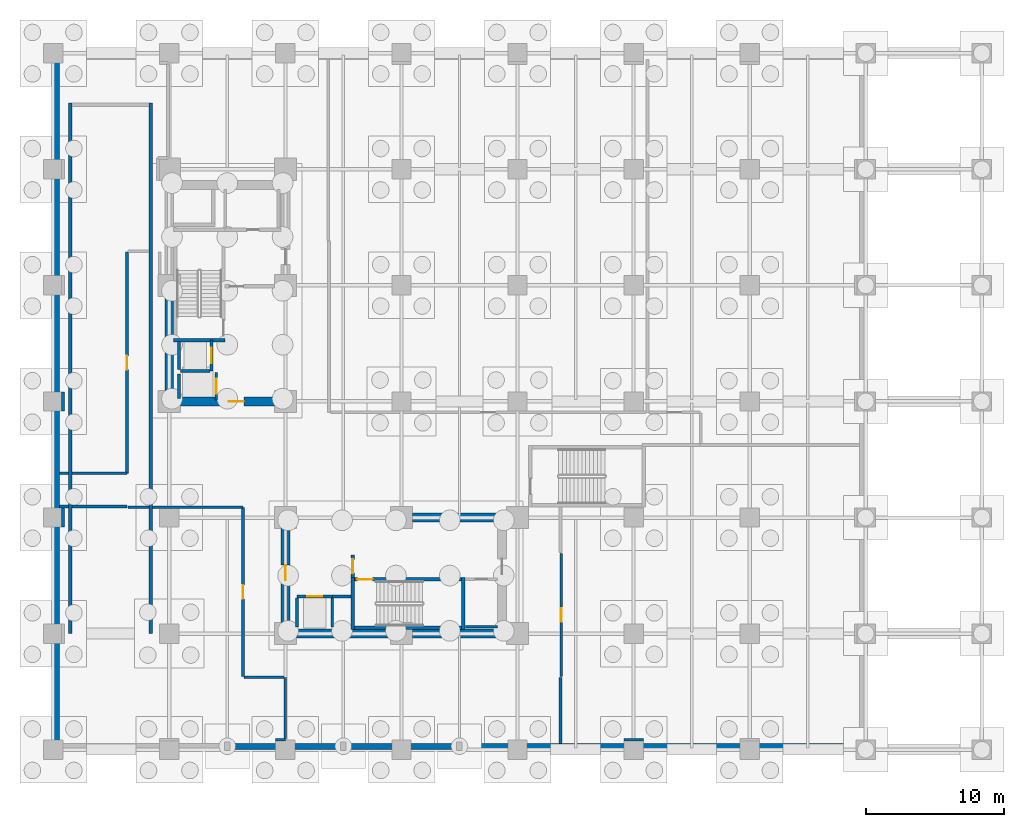
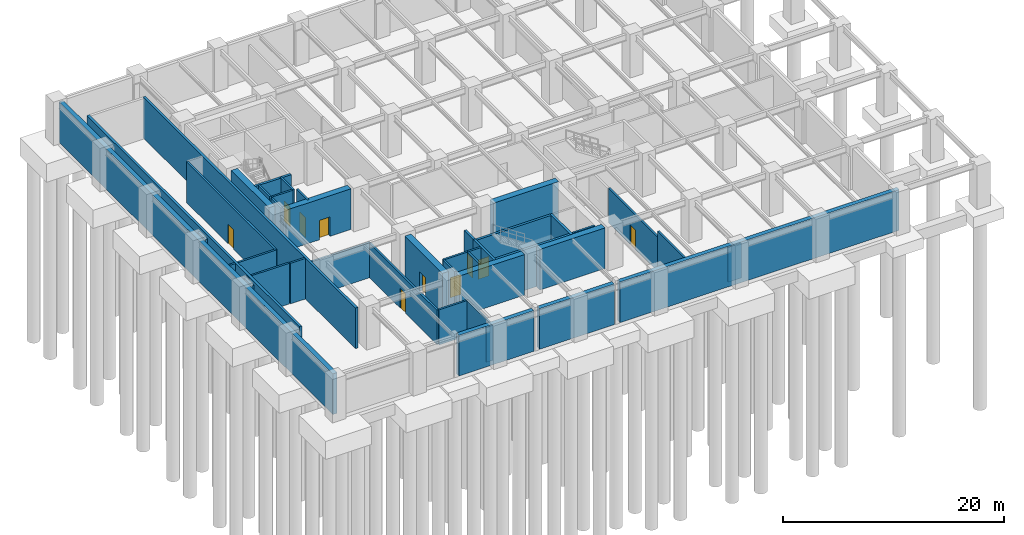
# One storey, part 5 of 9: 44 walls, 10 doors, 10 openings.
"""IFC4 building model written with IfcOpenShell, lengths in metres."""

from ifc_helpers import new_model, si_unit, direction, frame, frame_2d, origin, place, context, subcontext, project, spatial, rectangle, extrude, material, layer, layer_set, type_object, element, fill, save


model = new_model("IFC4")

# Units and contexts
model_context = context("Model", 3, precision=1e-05, world=origin(), true_north=direction((0.0, 1.0)))
body_context = subcontext(model_context, "Body", "Model", "MODEL_VIEW")
ifc_project = project(units=[si_unit("LENGTHUNIT", "METRE"), si_unit("AREAUNIT", "SQUARE_METRE"), si_unit("VOLUMEUNIT", "CUBIC_METRE"), si_unit("PLANEANGLEUNIT", "RADIAN"), si_unit("MASSUNIT", "GRAM", prefix="KILO")], contexts=[model_context])

# Site, building, storey
site_placement = place(None, origin())
site = spatial("IfcSite", under=ifc_project, at=site_placement, CompositionType="ELEMENT")
building_placement = place(site_placement, origin())
building = spatial("IfcBuilding", under=site, at=building_placement, Name="Nerrivon Quay Data Exchange", CompositionType="ELEMENT")
storey_placement = place(building_placement, frame((0.0, 0.0, -9.60009765625)))
storey = spatial("IfcBuildingStorey", under=building, at=storey_placement, Name="B02", CompositionType="ELEMENT", Elevation=-9.60009765625)

# Wall
ifc_material_1 = material(Name="Concrete N80 (80 MPa)", Category="concrete")
ifc_layer_1 = layer(ifc_material_1, 0.64990234375)
ifc_layer_set_1 = layer_set([ifc_layer_1], Name="Concrete N80 (80 MPa)")
wall_type_1 = type_object("IfcWallType", Name="WALL-CW-850", PredefinedType="SHEAR", material=ifc_layer_set_1)
wall_1_placement = place(storey_placement, frame((8.39990234375, 26.0, 0.0), z_axis=(0.0, 0.0, 1.0), x_axis=(0.0, 1.0, 0.0)))
element("IfcWall", 1, at=wall_1_placement, inside=storey, type_object=wall_type_1, Name="B02 West Split-Core Shear Wall WCW-W1", PredefinedType="SHEAR", context=body_context, shape_type="SweptSolid", body=[
    extrude(rectangle(XDim=6.800048828125, YDim=0.64990234375, at=frame_2d((3.39990234375, 0.0))), origin(), (0.0, 0.0, 1.0), 4.47998046875),
])

# Wall, opening, door
wall_2_placement = place(storey_placement, frame((9.199951171875, 25.199951171875, 0.0), z_axis=(0.0, 0.0, 1.0), x_axis=(1.0, 0.0, 0.0)))
wall_2 = element("IfcWall", 2, at=wall_2_placement, inside=storey, type_object=wall_type_1, Name="B02 West Split-Core Shear Wall WCW-S1", PredefinedType="SHEAR", context=body_context, shape_type="SweptSolid", body=[
    extrude(rectangle(XDim=6.800048828125, YDim=0.64990234375, at=frame_2d((3.39990234375, 0.0))), origin(), (0.0, 0.0, 1.0), 4.47998046875),
])
opening_1_placement = place(wall_2_placement, frame((3.5, 0.0, 0.0)))
opening_1 = element("IfcOpeningElement", 3, at=opening_1_placement, cuts=wall_2, Name="Opening FD-120", PredefinedType="OPENING", context=body_context, shape_type="SweptSolid", body=[
    extrude(rectangle(XDim=1.10009765625, YDim=2.14990234375, at=frame_2d((0.550048828125, 1.074951171875))), frame((0.0, 0.3349609375, 0.0), z_axis=(0.0, -1.0, 0.0), x_axis=(1.0, 0.0, 0.0)), (0.0, 0.0, 1.0), 0.669921875),
])
ifc_material_2 = material(Name="Powder-coated galvanized steel sheet", Category="steel")
door_type_1 = type_object("IfcDoorType", Name="DR-FD120-1100", OperationType="NOTDEFINED", PredefinedType="DOOR", material=ifc_material_2)
door_1_placement = place(opening_1_placement, origin())
door_1 = element("IfcDoor", 4, at=door_1_placement, inside=storey, type_object=door_type_1, Name="B02 West Core Lobby Fire Door", OperationType="SINGLE_SWING_RIGHT", OverallHeight=2.14990234375, OverallWidth=1.10009765625, PredefinedType="DOOR", context=body_context, shape_type="SweptSolid", body=[
    extrude(rectangle(XDim=1.10009765625, YDim=2.14990234375, at=frame_2d((0.550048828125, 1.074951171875))), frame((0.0, 0.02490234375, 0.0), z_axis=(0.0, -1.0, 0.0), x_axis=(1.0, 0.0, 0.0)), (0.0, 0.0, 1.0), 0.050048828125),
])
fill(opening_1, door_1)

# Walls
wall_3_placement = place(storey_placement, frame((17.60009765625, 8.39990234375, 0.0), z_axis=(0.0, 0.0, 1.0), x_axis=(1.0, 0.0, 0.0)))
element("IfcWall", 5, at=wall_3_placement, inside=storey, type_object=wall_type_1, Name="B02 East Split-Core Shear Wall ECW-S1", PredefinedType="SHEAR", context=body_context, shape_type="SweptSolid", body=[
    extrude(rectangle(XDim=6.7998046875, YDim=0.64990234375, at=frame_2d((3.39990234375, 0.0))), origin(), (0.0, 0.0, 1.0), 4.47998046875),
])
wall_4_placement = place(storey_placement, frame((26.0, 8.39990234375, 0.0), z_axis=(0.0, 0.0, 1.0), x_axis=(1.0, 0.0, 0.0)))
element("IfcWall", 6, at=wall_4_placement, inside=storey, type_object=wall_type_1, Name="B02 East Split-Core Shear Wall ECW-S2", PredefinedType="SHEAR", context=body_context, shape_type="SweptSolid", body=[
    extrude(rectangle(XDim=6.800048828125, YDim=0.64990234375, at=frame_2d((3.39990234375, 0.0))), origin(), (0.0, 0.0, 1.0), 4.47998046875),
])

# Wall, opening, door
wall_5_placement = place(storey_placement, frame((16.800048828125, 9.199951171875, 0.0), z_axis=(0.0, 0.0, 1.0), x_axis=(0.0, 1.0, 0.0)))
wall_5 = element("IfcWall", 7, at=wall_5_placement, inside=storey, type_object=wall_type_1, Name="B02 East Split-Core Shear Wall ECW-W1", PredefinedType="SHEAR", context=body_context, shape_type="SweptSolid", body=[
    extrude(rectangle(XDim=6.800048828125, YDim=0.64990234375, at=frame_2d((3.39990234375, 0.0))), origin(), (0.0, 0.0, 1.0), 4.47998046875),
])
opening_2_placement = place(wall_5_placement, frame((3.050048828125, 0.0, 0.0)))
opening_2 = element("IfcOpeningElement", 8, at=opening_2_placement, cuts=wall_5, Name="Opening FD-120", PredefinedType="OPENING", context=body_context, shape_type="SweptSolid", body=[
    extrude(rectangle(XDim=1.10009765625, YDim=2.14990234375, at=frame_2d((0.550048828125, 1.074951171875))), frame((0.0, 0.3349609375, 0.0), z_axis=(0.0, -1.0, 0.0), x_axis=(1.0, 0.0, 0.0)), (0.0, 0.0, 1.0), 0.669921875),
])
door_2_placement = place(opening_2_placement, origin())
door_2 = element("IfcDoor", 9, at=door_2_placement, inside=storey, type_object=door_type_1, Name="B02 East Core Lobby Fire Door", OperationType="SINGLE_SWING_RIGHT", OverallHeight=2.14990234375, OverallWidth=1.10009765625, PredefinedType="DOOR", context=body_context, shape_type="SweptSolid", body=[
    extrude(rectangle(XDim=1.10009765625, YDim=2.14990234375, at=frame_2d((0.550048828125, 1.074951171875))), frame((0.0, 0.02490234375, 0.0), z_axis=(0.0, -1.0, 0.0), x_axis=(1.0, 0.0, 0.0)), (0.0, 0.0, 1.0), 0.050048828125),
])
fill(opening_2, door_2)

# Walls
wall_6_placement = place(storey_placement, frame((26.0, 16.800048828125, 0.0), z_axis=(0.0, 0.0, 1.0), x_axis=(1.0, 0.0, 0.0)))
element("IfcWall", 10, at=wall_6_placement, inside=storey, type_object=wall_type_1, Name="B02 East Split-Core Shear Wall ECW-N1", PredefinedType="SHEAR", context=body_context, shape_type="SweptSolid", body=[
    extrude(rectangle(XDim=6.800048828125, YDim=0.64990234375, at=frame_2d((3.39990234375, 0.0))), origin(), (0.0, 0.0, 1.0), 4.47998046875),
])
ifc_material_3 = material(Name="Gypsum plasterboard on cold-formed framing", Category="gypsum")
ifc_layer_2 = layer(ifc_material_3, 0.199951171875)
ifc_layer_set_2 = layer_set([ifc_layer_2], Name="Gypsum plasterboard on cold-formed framing")
wall_type_2 = type_object("IfcWallType", Name="WALL-FW-200", PredefinedType="PARTITIONING", material=ifc_layer_set_2)
wall_7_placement = place(storey_placement, frame((20.199951171875, 11.080078125, 0.0), z_axis=(0.0, 0.0, 1.0), x_axis=(1.0, 0.0, 0.0)))
element("IfcWall", 11, at=wall_7_placement, inside=storey, type_object=wall_type_2, Name="B02 East Core MEP Riser Shaft Wall N", PredefinedType="PARTITIONING", context=body_context, shape_type="SweptSolid", body=[
    extrude(rectangle(XDim=1.35009765625, YDim=0.199951171875, at=frame_2d((0.675048828125, 0.0))), origin(), (0.0, 0.0, 1.0), 4.47998046875),
])

# Wall, opening, door
wall_8_placement = place(storey_placement, frame((11.449951171875, 27.39990234375, 0.0), z_axis=(0.0, 0.0, 1.0), x_axis=(0.0, 1.0, 0.0)))
wall_8 = element("IfcWall", 12, at=wall_8_placement, inside=storey, type_object=wall_type_2, Name="B02 Lift Front Wall FFL-1", PredefinedType="PARTITIONING", context=body_context, shape_type="SweptSolid", body=[
    extrude(rectangle(XDim=2.25, YDim=0.199951171875, at=frame_2d((1.125, 0.0))), origin(), (0.0, 0.0, 1.0), 4.47998046875),
])
opening_3_placement = place(wall_8_placement, frame((0.574951171875, 0.0, 0.0)))
opening_3 = element("IfcOpeningElement", 13, at=opening_3_placement, cuts=wall_8, Name="Opening LD-120", PredefinedType="OPENING", context=body_context, shape_type="SweptSolid", body=[
    extrude(rectangle(XDim=1.10009765625, YDim=2.199951171875, at=frame_2d((0.550048828125, 1.10009765625))), frame((0.0, 0.10986328125, 0.0), z_axis=(0.0, -1.0, 0.0), x_axis=(1.0, 0.0, 0.0)), (0.0, 0.0, 1.0), 0.219970703125),
])
door_type_2 = type_object("IfcDoorType", Name="DR-LIFT-LD120", OperationType="DOUBLE_DOOR_SLIDING", PredefinedType="DOOR", material=ifc_material_2)
door_3_placement = place(opening_3_placement, origin())
door_3 = element("IfcDoor", 14, at=door_3_placement, inside=storey, type_object=door_type_2, Name="B02 Lift Landing Sliding Door FFL-1", OperationType="DOUBLE_DOOR_SLIDING", OverallHeight=2.199951171875, OverallWidth=1.10009765625, PredefinedType="DOOR", context=body_context, shape_type="SweptSolid", body=[
    extrude(rectangle(XDim=1.10009765625, YDim=2.199951171875, at=frame_2d((0.550048828125, 1.10009765625))), frame((0.0, 0.02490234375, 0.0), z_axis=(0.0, -1.0, 0.0), x_axis=(1.0, 0.0, 0.0)), (0.0, 0.0, 1.0), 0.050048828125),
])
fill(opening_3, door_3)

# Walls
wall_9_placement = place(storey_placement, frame((9.10009765625, 27.5, 0.0), z_axis=(0.0, 0.0, 1.0), x_axis=(0.0, 1.0, 0.0)))
element("IfcWall", 15, at=wall_9_placement, inside=storey, type_object=wall_type_2, Name="B02 Lift Shaft Wall FFL-1 WEST", PredefinedType="PARTITIONING", context=body_context, shape_type="SweptSolid", body=[
    extrude(rectangle(XDim=2.050048828125, YDim=0.199951171875, at=frame_2d((1.02490234375, 0.0))), origin(), (0.0, 0.0, 1.0), 4.47998046875),
])
wall_10_placement = place(storey_placement, frame((9.199951171875, 27.39990234375, 0.0), z_axis=(0.0, 0.0, 1.0), x_axis=(1.0, 0.0, 0.0)))
element("IfcWall", 16, at=wall_10_placement, inside=storey, type_object=wall_type_2, Name="B02 Lift Shaft Wall FFL-1 SOUTH", PredefinedType="PARTITIONING", context=body_context, shape_type="SweptSolid", body=[
    extrude(rectangle(XDim=2.150146484375, YDim=0.199951171875, at=frame_2d((1.0751953125, 0.0))), origin(), (0.0, 0.0, 1.0), 4.47998046875),
])

# Wall, opening, door
wall_11_placement = place(storey_placement, frame((11.800048828125, 25.300048828125, 0.0), z_axis=(0.0, 0.0, 1.0), x_axis=(0.0, 1.0, 0.0)))
wall_11 = element("IfcWall", 17, at=wall_11_placement, inside=storey, type_object=wall_type_2, Name="B02 Lift Front Wall SVL-1", PredefinedType="PARTITIONING", context=body_context, shape_type="SweptSolid", body=[
    extrude(rectangle(XDim=2.0, YDim=0.199951171875, at=frame_2d((1.0, 0.0))), origin(), (0.0, 0.0, 1.0), 4.47998046875),
])
opening_4_placement = place(wall_11_placement, frame((0.449951171875, 0.0, 0.0)))
opening_4 = element("IfcOpeningElement", 18, at=opening_4_placement, cuts=wall_11, Name="Opening LD-120", PredefinedType="OPENING", context=body_context, shape_type="SweptSolid", body=[
    extrude(rectangle(XDim=1.10009765625, YDim=2.199951171875, at=frame_2d((0.550048828125, 1.10009765625))), frame((0.0, 0.10986328125, 0.0), z_axis=(0.0, -1.0, 0.0), x_axis=(1.0, 0.0, 0.0)), (0.0, 0.0, 1.0), 0.219970703125),
])
door_4_placement = place(opening_4_placement, origin())
door_4 = element("IfcDoor", 19, at=door_4_placement, inside=storey, type_object=door_type_2, Name="B02 Lift Landing Sliding Door SVL-1", OperationType="DOUBLE_DOOR_SLIDING", OverallHeight=2.199951171875, OverallWidth=1.10009765625, PredefinedType="DOOR", context=body_context, shape_type="SweptSolid", body=[
    extrude(rectangle(XDim=1.10009765625, YDim=2.199951171875, at=frame_2d((0.550048828125, 1.10009765625))), frame((0.0, 0.02490234375, 0.0), z_axis=(0.0, -1.0, 0.0), x_axis=(1.0, 0.0, 0.0)), (0.0, 0.0, 1.0), 0.050048828125),
])
fill(opening_4, door_4)

# Wall
wall_12_placement = place(storey_placement, frame((9.10009765625, 25.39990234375, 0.0), z_axis=(0.0, 0.0, 1.0), x_axis=(0.0, 1.0, 0.0)))
element("IfcWall", 20, at=wall_12_placement, inside=storey, type_object=wall_type_2, Name="B02 Lift Shaft Wall SVL-1 WEST", PredefinedType="PARTITIONING", context=body_context, shape_type="SweptSolid", body=[
    extrude(rectangle(XDim=1.800048828125, YDim=0.199951171875, at=frame_2d((0.89990234375, 0.0))), origin(), (0.0, 0.0, 1.0), 4.47998046875),
])

# Wall, opening, door
wall_13_placement = place(storey_placement, frame((17.64990234375, 11.080078125, 0.0), z_axis=(0.0, 0.0, 1.0), x_axis=(1.0, 0.0, 0.0)))
wall_13 = element("IfcWall", 21, at=wall_13_placement, inside=storey, type_object=wall_type_2, Name="B02 Lift Front Wall FFL-2", PredefinedType="PARTITIONING", context=body_context, shape_type="SweptSolid", body=[
    extrude(rectangle(XDim=2.550048828125, YDim=0.199951171875, at=frame_2d((1.27490234375, 0.0))), origin(), (0.0, 0.0, 1.0), 4.47998046875),
])
opening_5_placement = place(wall_13_placement, frame((0.72509765625, 0.0, 0.0)))
opening_5 = element("IfcOpeningElement", 22, at=opening_5_placement, cuts=wall_13, Name="Opening LD-120", PredefinedType="OPENING", context=body_context, shape_type="SweptSolid", body=[
    extrude(rectangle(XDim=1.10009765625, YDim=2.199951171875, at=frame_2d((0.550048828125, 1.10009765625))), frame((0.0, 0.10986328125, 0.0), z_axis=(0.0, -1.0, 0.0), x_axis=(1.0, 0.0, 0.0)), (0.0, 0.0, 1.0), 0.219970703125),
])
door_5_placement = place(opening_5_placement, origin())
door_5 = element("IfcDoor", 23, at=door_5_placement, inside=storey, type_object=door_type_2, Name="B02 Lift Landing Sliding Door FFL-2", OperationType="DOUBLE_DOOR_SLIDING", OverallHeight=2.199951171875, OverallWidth=1.10009765625, PredefinedType="DOOR", context=body_context, shape_type="SweptSolid", body=[
    extrude(rectangle(XDim=1.10009765625, YDim=2.199951171875, at=frame_2d((0.550048828125, 1.10009765625))), frame((0.0, 0.02490234375, 0.0), z_axis=(0.0, -1.0, 0.0), x_axis=(1.0, 0.0, 0.0)), (0.0, 0.0, 1.0), 0.050048828125),
])
fill(opening_5, door_5)

# Walls
for number, where, z_axis, x_axis, name in (
    (24, (20.199951171875, 8.8798828125, 0.0), (0.0, 0.0, 1.0), (0.0, 1.0, 0.0), "B02 Lift Shaft Wall FFL-2 EAST"),
    (25, (17.64990234375, 8.8798828125, 0.0), (0.0, 0.0, 1.0), (0.0, 1.0, 0.0), "B02 Lift Shaft Wall FFL-2 WEST"),
):
    element("IfcWall", number, at=place(storey_placement, frame(where, z_axis=z_axis, x_axis=x_axis)), inside=storey, type_object=wall_type_2, Name=name, PredefinedType="PARTITIONING", context=body_context, shape_type="SweptSolid", body=[
        extrude(rectangle(XDim=2.10009765625, YDim=0.199951171875, at=frame_2d((1.050048828125, 0.0))), origin(), (0.0, 0.0, 1.0), 4.47998046875),
    ])
wall_14_placement = place(storey_placement, frame((29.85009765625, 8.89990234375, 0.0), z_axis=(0.0, 0.0, 1.0), x_axis=(1.0, 0.0, 0.0)))
element("IfcWall", 26, at=wall_14_placement, inside=storey, type_object=wall_type_2, Name="B02 Partition East Telecom Closet", PredefinedType="PARTITIONING", context=body_context, shape_type="SweptSolid", body=[
    extrude(rectangle(XDim=2.2958984375, YDim=0.199951171875, at=frame_2d((1.14794921875, 0.0))), origin(), (0.0, 0.0, 1.0), 4.47998046875),
])
wall_15_placement = place(storey_placement, frame((0.719970703125, 17.501953125, 0.0), z_axis=(0.0, 0.0, 1.0), x_axis=(0.0, -1.0, 0.0)))
element("IfcWall", 27, at=wall_15_placement, inside=storey, type_object=wall_type_2, Name="B02 Partition Standby Generator Hall", PredefinedType="PARTITIONING", context=body_context, shape_type="SweptSolid", body=[
    extrude(rectangle(XDim=1.40185546875, YDim=0.199951171875, at=frame_2d((0.700927734375, 0.0))), origin(), (0.0, 0.0, 1.0), 4.47998046875),
])
wall_16_placement = place(storey_placement, frame((16.10009765625, 0.719970703125, 0.0), z_axis=(0.0, 0.0, 1.0), x_axis=(1.0, 0.0, 0.0)))
element("IfcWall", 28, at=wall_16_placement, inside=storey, type_object=wall_type_2, Name="B02 Partition Standby Generator Hall", PredefinedType="PARTITIONING", context=body_context, shape_type="SweptSolid", body=[
    extrude(rectangle(XDim=0.699951171875, YDim=0.199951171875, at=frame_2d((0.35009765625, 0.0))), origin(), (0.0, 0.0, 1.0), 3.8681640625),
])
wall_17_placement = place(storey_placement, frame((16.800048828125, 0.823974609375, 0.0), z_axis=(0.0, 0.0, 1.0), x_axis=(0.0, 1.0, 0.0)))
element("IfcWall", 29, at=wall_17_placement, inside=storey, type_object=wall_type_2, Name="B02 Partition Standby Generator Hall", PredefinedType="PARTITIONING", context=body_context, shape_type="SweptSolid", body=[
    extrude(rectangle(XDim=4.416015625, YDim=0.199951171875, at=frame_2d((2.2080078125, 0.0))), origin(), (0.0, 0.0, 1.0), 3.8681640625),
])
wall_18_placement = place(storey_placement, frame((16.696044921875, 5.239990234375, 0.0), z_axis=(0.0, 0.0, 1.0), x_axis=(-1.0, 0.0, 0.0)))
element("IfcWall", 30, at=wall_18_placement, inside=storey, type_object=wall_type_2, Name="B02 Partition Standby Generator Hall", PredefinedType="PARTITIONING", context=body_context, shape_type="SweptSolid", body=[
    extrude(rectangle(XDim=2.89599609375, YDim=0.199951171875, at=frame_2d((1.447998046875, 0.0))), origin(), (0.0, 0.0, 1.0), 3.8681640625),
])

# Wall, opening, door
wall_19_placement = place(storey_placement, frame((13.740234375, 5.294189453125, 0.0), z_axis=(0.0, 0.0, 1.0), x_axis=(-1.9936602e-05, 0.999999999801, 0.0)))
wall_19 = element("IfcWall", 31, at=wall_19_placement, inside=storey, type_object=wall_type_2, Name="B02 Partition Standby Generator Hall", PredefinedType="PARTITIONING", context=body_context, shape_type="SweptSolid", body=[
    extrude(rectangle(XDim=12.245849609375, YDim=0.199951171875, at=frame_2d((6.123046875, 0.0))), origin(), (0.0, 0.0, 1.0), 3.780029296875),
])
opening_6_placement = place(wall_19_placement, frame((5.623046875, 0.0, 0.0)))
opening_6 = element("IfcOpeningElement", 32, at=opening_6_placement, cuts=wall_19, Name="Opening FD-60", PredefinedType="OPENING", context=body_context, shape_type="SweptSolid", body=[
    extrude(rectangle(XDim=1.0, YDim=2.14990234375, at=frame_2d((0.5, 1.074951171875))), frame((0.0, 0.10986328125, 0.0), z_axis=(0.0, -1.0, 0.0), x_axis=(1.0, 0.0, 0.0)), (0.0, 0.0, 1.0), 0.219970703125),
])
ifc_material_4 = material(Name="Engineered hardwood timber", Category="wood")
door_type_3 = type_object("IfcDoorType", Name="DR-FD60-1000", OperationType="NOTDEFINED", PredefinedType="DOOR", material=ifc_material_4)
door_6_placement = place(opening_6_placement, origin())
door_6 = element("IfcDoor", 33, at=door_6_placement, inside=storey, type_object=door_type_3, Name="B02 Door Standby Generator Hall", OperationType="SINGLE_SWING_RIGHT", OverallHeight=2.14990234375, OverallWidth=1.0, PredefinedType="DOOR", context=body_context, shape_type="SweptSolid", body=[
    extrude(rectangle(XDim=1.0, YDim=2.14990234375, at=frame_2d((0.5, 1.074951171875))), frame((0.0, 0.02490234375, 0.0), z_axis=(0.0, -1.0, 0.0), x_axis=(1.0, 0.0, 0.0)), (0.0, 0.0, 1.0), 0.050048828125),
])
fill(opening_6, door_6)

# Walls
wall_20_placement = place(storey_placement, frame((13.739990234375, 17.5400390625, 0.0), z_axis=(0.0, 0.0, 1.0), x_axis=(-1.0, 0.0, 0.0)))
element("IfcWall", 34, at=wall_20_placement, inside=storey, type_object=wall_type_2, Name="B02 Partition Standby Generator Hall", PredefinedType="PARTITIONING", context=body_context, shape_type="SweptSolid", body=[
    extrude(rectangle(XDim=6.535888671875, YDim=0.199951171875, at=frame_2d((3.26806640625, 0.0))), origin(), (0.0, 0.0, 1.0), 3.8681640625),
])
wall_21_placement = place(storey_placement, frame((6.946044921875, 17.5400390625, 0.0), z_axis=(0.0, 0.0, 1.0), x_axis=(-1.0, 0.0, 0.0)))
element("IfcWall", 35, at=wall_21_placement, inside=storey, type_object=wall_type_2, Name="B02 Partition Standby Generator Hall", PredefinedType="PARTITIONING", context=body_context, shape_type="SweptSolid", body=[
    extrude(rectangle(XDim=1.546142578125, YDim=0.199951171875, at=frame_2d((0.77294921875, 0.0))), origin(), (0.0, 0.0, 1.0), 4.47998046875),
])
wall_22_placement = place(storey_placement, frame((5.340087890625, 17.60009765625, 0.0), z_axis=(0.0, 0.0, 1.0), x_axis=(-1.0, 0.0, 0.0)))
element("IfcWall", 36, at=wall_22_placement, inside=storey, type_object=wall_type_2, Name="B02 Partition Standby Generator Hall", PredefinedType="PARTITIONING", context=body_context, shape_type="SweptSolid", body=[
    extrude(rectangle(XDim=3.986083984375, YDim=0.199951171875, at=frame_2d((1.9931640625, 0.0))), origin(), (0.0, 0.0, 1.0), 4.47998046875),
])
wall_23_placement = place(storey_placement, frame((1.095947265625, 17.60009765625, 0.0), z_axis=(0.0, 0.0, 1.0), x_axis=(-1.0, 0.0, 0.0)))
element("IfcWall", 37, at=wall_23_placement, inside=storey, type_object=wall_type_2, Name="B02 Partition Standby Generator Hall", PredefinedType="PARTITIONING", context=body_context, shape_type="SweptSolid", body=[
    extrude(rectangle(XDim=0.641845703125, YDim=0.199951171875, at=frame_2d((0.32080078125, 0.0))), origin(), (0.0, 0.0, 1.0), 4.47998046875),
])
wall_24_placement = place(storey_placement, frame((0.719970703125, 25.89990234375, 0.0), z_axis=(0.0, 0.0, 1.0), x_axis=(0.0, -1.0, 0.0)))
element("IfcWall", 38, at=wall_24_placement, inside=storey, type_object=wall_type_2, Name="B02 Partition Subsea Optical Cable Vault", PredefinedType="PARTITIONING", context=body_context, shape_type="SweptSolid", body=[
    extrude(rectangle(XDim=1.39990234375, YDim=0.199951171875, at=frame_2d((0.699951171875, 0.0))), origin(), (0.0, 0.0, 1.0), 4.47998046875),
])
wall_25_placement = place(storey_placement, frame((0.4541015625, 20.0, 0.0), z_axis=(0.0, 0.0, 1.0), x_axis=(1.0, 0.0, 0.0)))
element("IfcWall", 39, at=wall_25_placement, inside=storey, type_object=wall_type_2, Name="B02 Partition Subsea Optical Cable Vault", PredefinedType="PARTITIONING", context=body_context, shape_type="SweptSolid", body=[
    extrude(rectangle(XDim=0.641845703125, YDim=0.199951171875, at=frame_2d((0.32080078125, 0.0))), origin(), (0.0, 0.0, 1.0), 4.47998046875),
])
wall_26_placement = place(storey_placement, frame((1.35400390625, 20.0, 0.0), z_axis=(0.0, 0.0, 1.0), x_axis=(1.0, 0.0, 0.0)))
element("IfcWall", 40, at=wall_26_placement, inside=storey, type_object=wall_type_2, Name="B02 Partition Subsea Optical Cable Vault", PredefinedType="PARTITIONING", context=body_context, shape_type="SweptSolid", body=[
    extrude(rectangle(XDim=3.986083984375, YDim=0.199951171875, at=frame_2d((1.9931640625, 0.0))), origin(), (0.0, 0.0, 1.0), 4.47998046875),
])

# Wall, opening, door
wall_27_placement = place(storey_placement, frame((5.340087890625, 20.0, 0.0), z_axis=(0.0, 0.0, 1.0), x_axis=(1.5253203e-05, 0.999999999884, 0.0)))
wall_27 = element("IfcWall", 41, at=wall_27_placement, inside=storey, type_object=wall_type_2, Name="B02 Partition Subsea Optical Cable Vault", PredefinedType="PARTITIONING", context=body_context, shape_type="SweptSolid", body=[
    extrude(rectangle(XDim=16.005859375, YDim=0.199951171875, at=frame_2d((8.0029296875, 0.0))), origin(), (0.0, 0.0, 1.0), 4.47998046875),
])
opening_7_placement = place(wall_27_placement, frame((7.5029296875, 0.0, 0.0)))
opening_7 = element("IfcOpeningElement", 42, at=opening_7_placement, cuts=wall_27, Name="Opening FD-60", PredefinedType="OPENING", context=body_context, shape_type="SweptSolid", body=[
    extrude(rectangle(XDim=1.0, YDim=2.14990234375, at=frame_2d((0.5, 1.074951171875))), frame((0.0, 0.10986328125, 0.0), z_axis=(0.0, -1.0, 0.0), x_axis=(1.0, 0.0, 0.0)), (0.0, 0.0, 1.0), 0.219970703125),
])
door_7_placement = place(opening_7_placement, origin())
door_7 = element("IfcDoor", 43, at=door_7_placement, inside=storey, type_object=door_type_3, Name="B02 Door Subsea Optical Cable Vault", OperationType="SINGLE_SWING_LEFT", OverallHeight=2.14990234375, OverallWidth=1.0, PredefinedType="DOOR", context=body_context, shape_type="SweptSolid", body=[
    extrude(rectangle(XDim=1.0, YDim=2.14990234375, at=frame_2d((0.5, 1.074951171875))), frame((0.0, 0.02490234375, 0.0), z_axis=(0.0, -1.0, 0.0), x_axis=(1.0, 0.0, 0.0)), (0.0, 0.0, 1.0), 0.050048828125),
])
fill(opening_7, door_7)

# Wall
wall_28_placement = place(storey_placement, frame((41.300048828125, 0.719970703125, 0.0), z_axis=(0.0, 0.0, 1.0), x_axis=(1.0, 0.0, 0.0)))
element("IfcWall", 44, at=wall_28_placement, inside=storey, type_object=wall_type_2, Name="B02 Partition HV Switchroom", PredefinedType="PARTITIONING", context=body_context, shape_type="SweptSolid", body=[
    extrude(rectangle(XDim=1.39990234375, YDim=0.199951171875, at=frame_2d((0.699951171875, 0.0))), origin(), (0.0, 0.0, 1.0), 3.8681640625),
])

# Wall, opening, door
wall_29_placement = place(storey_placement, frame((36.760009765625, 14.199951171875, 0.0), z_axis=(0.0, 0.0, 1.0), x_axis=(0.0, -1.0, 0.0)))
wall_29 = element("IfcWall", 45, at=wall_29_placement, inside=storey, type_object=wall_type_2, Name="B02 Partition HV Switchroom", PredefinedType="PARTITIONING", context=body_context, shape_type="SweptSolid", body=[
    extrude(rectangle(XDim=8.89990234375, YDim=0.199951171875, at=frame_2d((4.449951171875, 0.0))), origin(), (0.0, 0.0, 1.0), 3.780029296875),
])
opening_8_placement = place(wall_29_placement, frame((3.949951171875, 0.0, 0.0)))
opening_8 = element("IfcOpeningElement", 46, at=opening_8_placement, cuts=wall_29, Name="Opening FD-60", PredefinedType="OPENING", context=body_context, shape_type="SweptSolid", body=[
    extrude(rectangle(XDim=1.0, YDim=2.14990234375, at=frame_2d((0.5, 1.074951171875))), frame((0.0, 0.10986328125, 0.0), z_axis=(0.0, -1.0, 0.0), x_axis=(1.0, 0.0, 0.0)), (0.0, 0.0, 1.0), 0.219970703125),
])
door_8_placement = place(opening_8_placement, origin())
door_8 = element("IfcDoor", 47, at=door_8_placement, inside=storey, type_object=door_type_3, Name="B02 Door HV Switchroom", OperationType="SINGLE_SWING_LEFT", OverallHeight=2.14990234375, OverallWidth=1.0, PredefinedType="DOOR", context=body_context, shape_type="SweptSolid", body=[
    extrude(rectangle(XDim=1.0, YDim=2.14990234375, at=frame_2d((0.5, 1.074951171875))), frame((0.0, 0.02490234375, 0.0), z_axis=(0.0, -1.0, 0.0), x_axis=(1.0, 0.0, 0.0)), (0.0, 0.0, 1.0), 0.050048828125),
])
fill(opening_8, door_8)

# Walls
wall_30_placement = place(storey_placement, frame((36.699951171875, 5.239990234375, 0.0), z_axis=(0.0, 0.0, 1.0), x_axis=(0.0, -1.0, 0.0)))
element("IfcWall", 48, at=wall_30_placement, inside=storey, type_object=wall_type_2, Name="B02 Partition HV Switchroom", PredefinedType="PARTITIONING", context=body_context, shape_type="SweptSolid", body=[
    extrude(rectangle(XDim=4.785888671875, YDim=0.199951171875, at=frame_2d((2.39306640625, 0.0))), origin(), (0.0, 0.0, 1.0), 4.47998046875),
])
ifc_material_5 = material(Name="Concrete N50 (50 MPa)", Category="concrete")
ifc_layer_3 = layer(ifc_material_5, 0.449951171875)
ifc_layer_set_3 = layer_set([ifc_layer_3], Name="Concrete N50 (50 MPa)")
wall_type_3 = type_object("IfcWallType", Name="WALL-RET-450", PredefinedType="SOLIDWALL", material=ifc_layer_set_3)
for number, where, z_axis, x_axis, name in (
    (49, (12.89990234375, 0.22509765625, 0.0), (0.0, 0.0, 1.0), (1.0, 0.0, 0.0), "B02 Perimeter Retaining Wall S2"),
    (50, (21.300048828125, 0.22509765625, 0.0), (0.0, 0.0, 1.0), (1.0, 0.0, 0.0), "B02 Perimeter Retaining Wall S3"),
):
    element("IfcWall", number, at=place(storey_placement, frame(where, z_axis=z_axis, x_axis=x_axis)), inside=storey, type_object=wall_type_3, Name=name, PredefinedType="SOLIDWALL", context=body_context, shape_type="SweptSolid", body=[
        extrude(rectangle(XDim=7.800048828125, YDim=0.449951171875, at=frame_2d((3.89990234375, 0.0))), origin(), (0.0, 0.0, 1.0), 4.47998046875),
    ])
wall_31_placement = place(storey_placement, frame((29.699951171875, 0.22509765625, 0.0), z_axis=(0.0, 0.0, 1.0), x_axis=(1.0, 0.0, 0.0)))
element("IfcWall", 51, at=wall_31_placement, inside=storey, type_object=wall_type_3, Name="B02 Perimeter Retaining Wall S4", PredefinedType="SOLIDWALL", context=body_context, shape_type="SweptSolid", body=[
    extrude(rectangle(XDim=29.10009765625, YDim=0.449951171875, at=frame_2d((14.550048828125, 0.0))), origin(), (0.0, 0.0, 1.0), 4.47998046875),
])
wall_32_placement = place(storey_placement, frame((0.22509765625, 0.449951171875, 0.0), z_axis=(0.0, 0.0, 1.0), x_axis=(0.0, 1.0, 0.0)))
element("IfcWall", 52, at=wall_32_placement, inside=storey, type_object=wall_type_3, Name="B02 Perimeter Retaining Wall W", PredefinedType="SOLIDWALL", context=body_context, shape_type="SweptSolid", body=[
    extrude(rectangle(XDim=49.5, YDim=0.449951171875, at=frame_2d((24.75, 0.0))), origin(), (0.0, 0.0, 1.0), 4.47998046875),
])
ifc_layer_4 = layer(ifc_material_5, 0.25)
ifc_layer_set_4 = layer_set([ifc_layer_4], Name="Concrete N50 (50 MPa)")
wall_type_4 = type_object("IfcWallType", Name="WALL-SW-250", PredefinedType="SHEAR", material=ifc_layer_set_4)
for number, where, z_axis, x_axis, name in (
    (53, (1.22509765625, 8.39990234375, 0.0), (0.0, 0.0, 1.0), (0.0, 1.0, 0.0), "B02 Vehicle Ramp Support Wall W"),
    (54, (7.074951171875, 8.39990234375, 0.0), (0.0, 0.0, 1.0), (0.0, 1.0, 0.0), "B02 Vehicle Ramp Support Wall E"),
):
    element("IfcWall", number, at=place(storey_placement, frame(where, z_axis=z_axis, x_axis=x_axis)), inside=storey, type_object=wall_type_4, Name=name, PredefinedType="SHEAR", context=body_context, shape_type="SweptSolid", body=[
        extrude(rectangle(XDim=38.400146484375, YDim=0.25, at=frame_2d((19.2001953125, 0.0))), origin(), (0.0, 0.0, 1.0), 4.47998046875),
    ])
for number, where, z_axis, x_axis, name in (
    (55, (12.449951171875, 29.625, 0.0), (0.0, 0.0, 1.0), (-1.0, 0.0, 0.0), "B02 ST01 Structural Stair Core Wall NEAR"),
    (56, (21.675048828125, 8.699951171875, 0.0), (0.0, 0.0, 1.0), (0.0, 1.0, 0.0), "B02 ST02 Structural Stair Core Wall NEAR"),
    (57, (29.675048828125, 8.699951171875, 0.0), (0.0, 0.0, 1.0), (0.0, 1.0, 0.0), "B02 ST02 Structural Stair Core Wall FAR"),
):
    element("IfcWall", number, at=place(storey_placement, frame(where, z_axis=z_axis, x_axis=x_axis)), inside=storey, type_object=wall_type_4, Name=name, PredefinedType="SHEAR", context=body_context, shape_type="SweptSolid", body=[
        extrude(rectangle(XDim=3.75, YDim=0.25, at=frame_2d((1.875, 0.0))), origin(), (0.0, 0.0, 1.0), 4.47998046875),
    ])
wall_33_placement = place(storey_placement, frame((21.800048828125, 8.824951171875, 0.0), z_axis=(0.0, 0.0, 1.0), x_axis=(1.0, 0.0, 0.0)))
element("IfcWall", 58, at=wall_33_placement, inside=storey, type_object=wall_type_4, Name="B02 ST02 Structural Stair Core Wall LEFT", PredefinedType="SHEAR", context=body_context, shape_type="SweptSolid", body=[
    extrude(rectangle(XDim=7.75, YDim=0.25, at=frame_2d((3.875, 0.0))), origin(), (0.0, 0.0, 1.0), 4.47998046875),
])

# Wall, opening, door
wall_34_placement = place(storey_placement, frame((21.800048828125, 12.324951171875, 0.0), z_axis=(0.0, 0.0, 1.0), x_axis=(1.0, 0.0, 0.0)))
wall_34 = element("IfcWall", 59, at=wall_34_placement, inside=storey, type_object=wall_type_4, Name="B02 ST02 Structural Stair Core Wall RIGHT", PredefinedType="SHEAR", context=body_context, shape_type="SweptSolid", body=[
    extrude(rectangle(XDim=7.75, YDim=0.25, at=frame_2d((3.875, 0.0))), origin(), (0.0, 0.0, 1.0), 4.47998046875),
])
opening_9_placement = place(wall_34_placement, frame((0.219970703125, 0.0, 0.0)))
opening_9 = element("IfcOpeningElement", 60, at=opening_9_placement, cuts=wall_34, Name="Opening FD-120", PredefinedType="OPENING", context=body_context, shape_type="SweptSolid", body=[
    extrude(rectangle(XDim=1.10009765625, YDim=2.14990234375, at=frame_2d((0.550048828125, 1.074951171875))), frame((0.0, 0.135009765625, 0.0), z_axis=(0.0, -1.0, 0.0), x_axis=(1.0, 0.0, 0.0)), (0.0, 0.0, 1.0), 0.27001953125),
])
door_9_placement = place(opening_9_placement, origin())
door_9 = element("IfcDoor", 61, at=door_9_placement, inside=storey, type_object=door_type_1, Name="B02 Protected Stair Door ST02", OperationType="SINGLE_SWING_RIGHT", OverallHeight=2.14990234375, OverallWidth=1.10009765625, PredefinedType="DOOR", context=body_context, shape_type="SweptSolid", body=[
    extrude(rectangle(XDim=1.10009765625, YDim=2.14990234375, at=frame_2d((0.550048828125, 1.074951171875))), frame((0.0, 0.02490234375, 0.0), z_axis=(0.0, -1.0, 0.0), x_axis=(1.0, 0.0, 0.0)), (0.0, 0.0, 1.0), 0.050048828125),
])
fill(opening_9, door_9)

wall_35_placement = place(storey_placement, frame((21.679931640625, 12.449951171875, 0.0), z_axis=(0.0, 0.0, 1.0), x_axis=(0.0, 1.0, 0.0)))
wall_35 = element("IfcWall", 62, at=wall_35_placement, inside=storey, type_object=wall_type_4, Name="B02 East Firefighting Lobby Wall", PredefinedType="SHEAR", context=body_context, shape_type="SweptSolid", body=[
    extrude(rectangle(XDim=1.650146484375, YDim=0.25, at=frame_2d((0.8251953125, 0.0))), origin(), (0.0, 0.0, 1.0), 4.47998046875),
])
opening_10_placement = place(wall_35_placement, frame((0.324951171875, 0.0, 0.0)))
opening_10 = element("IfcOpeningElement", 63, at=opening_10_placement, cuts=wall_35, Name="Opening FD-60", PredefinedType="OPENING", context=body_context, shape_type="SweptSolid", body=[
    extrude(rectangle(XDim=1.0, YDim=2.14990234375, at=frame_2d((0.5, 1.074951171875))), frame((0.0, 0.135009765625, 0.0), z_axis=(0.0, -1.0, 0.0), x_axis=(1.0, 0.0, 0.0)), (0.0, 0.0, 1.0), 0.27001953125),
])
door_10_placement = place(opening_10_placement, origin())
door_10 = element("IfcDoor", 64, at=door_10_placement, inside=storey, type_object=door_type_3, Name="B02 East Firefighting Lobby Fire Door", OperationType="SINGLE_SWING_LEFT", OverallHeight=2.14990234375, OverallWidth=1.0, PredefinedType="DOOR", context=body_context, shape_type="SweptSolid", body=[
    extrude(rectangle(XDim=1.0, YDim=2.14990234375, at=frame_2d((0.5, 1.074951171875))), frame((0.0, 0.02490234375, 0.0), z_axis=(0.0, -1.0, 0.0), x_axis=(1.0, 0.0, 0.0)), (0.0, 0.0, 1.0), 0.050048828125),
])
fill(opening_10, door_10)

save(model, "model.ifc")
